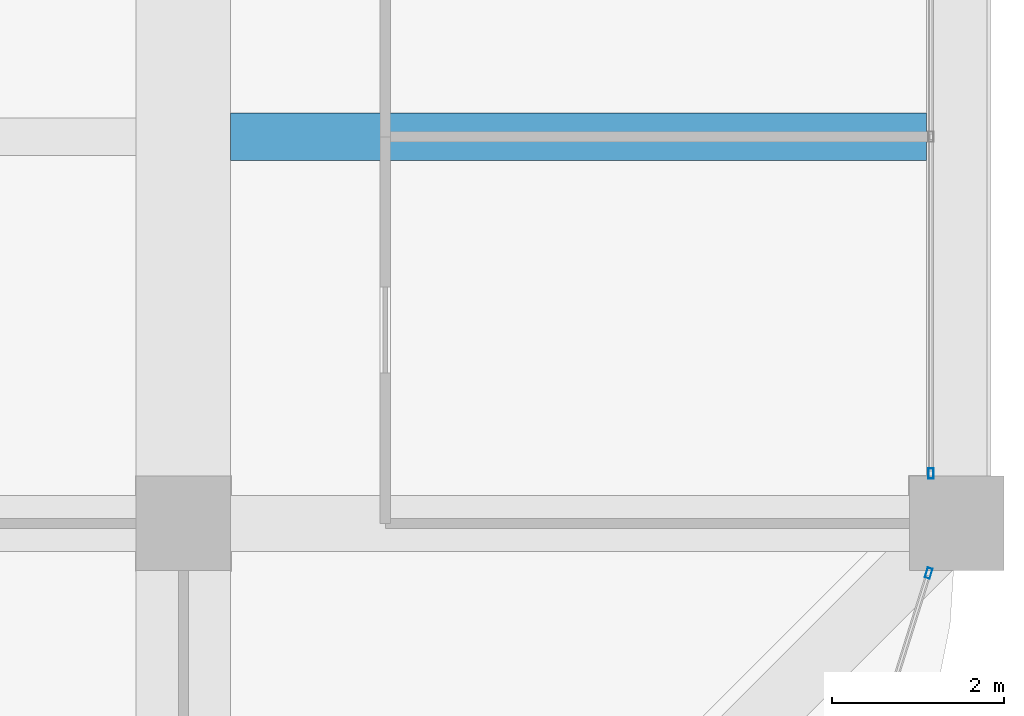
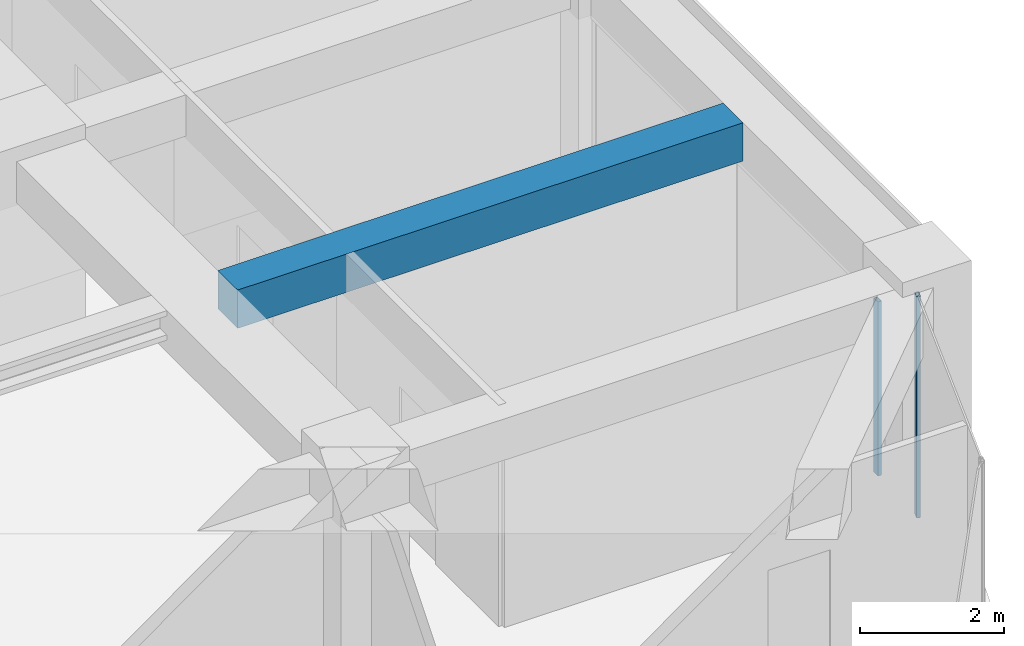
# One storey, part 22 of 45: 2 members, 1 beam, 2 elements without a shape of their own.
"""IFC4 building model written with IfcOpenShell, lengths in metres."""

from ifc_helpers import new_model, si_unit, direction, frame, origin, origin_2d, place, context, subcontext, project, spatial, rectangle, hollow_rectangle, extrude, material, material_profile, profile_set, type_object, element, aggregate, save


model = new_model("IFC4")

# Units and contexts
model_context = context("Model", 3, precision=1e-05, world=origin(), true_north=direction((0.0, 1.0)))
body_context = subcontext(model_context, "Body", "Model", "MODEL_VIEW")
ifc_project = project(units=[si_unit("LENGTHUNIT", "METRE"), si_unit("AREAUNIT", "SQUARE_METRE"), si_unit("VOLUMEUNIT", "CUBIC_METRE"), si_unit("PLANEANGLEUNIT", "RADIAN"), si_unit("MASSUNIT", "GRAM", prefix="KILO")], contexts=[model_context])

# Site, building, storey
site_placement = place(None, origin())
site = spatial("IfcSite", under=ifc_project, at=site_placement, CompositionType="ELEMENT")
building_placement = place(site_placement, origin())
building = spatial("IfcBuilding", under=site, at=building_placement, Name="Zorevar Civic Tower", CompositionType="ELEMENT")
storey_placement = place(building_placement, frame((0.0, 0.0, 291.39990234375)))
storey = spatial("IfcBuildingStorey", under=building, at=storey_placement, Name="L71", CompositionType="ELEMENT", Elevation=291.39990234375)

# Beam
ifc_material_1 = material(Name="Concrete C50/60", Category="concrete")
ifc_material_profile_1 = material_profile(ifc_material_1, rectangle(XDim=0.550048828125, YDim=0.64990234375, at=origin_2d()), Name="RC 550x650")
ifc_profile_set_1 = profile_set([ifc_material_profile_1], Name="Concrete C50/60")
beam_type = type_object("IfcBeamType", Name="Beam RC 550x650", PredefinedType="BEAM", material=ifc_profile_set_1)
beam_placement = place(storey_placement, frame((45.550048828125, 13.5, 3.425048828125), z_axis=(1.0, 0.0, 0.0), x_axis=(0.0, 1.0, 0.0)))
element("IfcBeam", 1, at=beam_placement, inside=storey, type_object=beam_type, Name="Secondary beam L72", PredefinedType="BEAM", context=body_context, shape_type="SweptSolid", body=[
    extrude(rectangle(XDim=0.550048828125, YDim=0.64990234375, at=origin_2d()), origin(), (0.0, 0.0, 1.0), 8.099853515625),
])

# Curtain wall, member
ifc_material_2 = material(Name="Dark grey solar-control glass in black aluminium frame", Category="aluminium")
curtain_wall_type = type_object("IfcCurtainWallType", Name="Curtain wall CW5 top zone", PredefinedType="NOTDEFINED", material=ifc_material_2)
curtain_wall_1_placement = place(storey_placement, origin())
curtain_wall_1 = element("IfcCurtainWall", 2, at=curtain_wall_1_placement, inside=storey, type_object=curtain_wall_type, Name="CW5 L71", PredefinedType="NOTDEFINED")
ifc_material_3 = material(Name="Aluminium, black anodised", Category="aluminium")
ifc_material_profile_2 = material_profile(ifc_material_3, hollow_rectangle(XDim=0.06005859375, YDim=0.1201171875, WallThickness=0.0029296875, at=origin_2d()), Name="AL 120x60x3")
ifc_profile_set_2 = profile_set([ifc_material_profile_2], Name="Aluminium, black anodised")
member_type = type_object("IfcMemberType", Name="CW5 mullion AL 120x60x3", PredefinedType="MULLION", material=ifc_profile_set_2)
member_1_placement = place(storey_placement, frame((53.699951171875, 9.580078125, 0.0), z_axis=(0.0, 0.0, 1.0), x_axis=(-1.0, 0.0, 0.0)))
member_1 = element("IfcMember", 3, at=member_1_placement, type_object=member_type, Name="CW5 mullion 1", PredefinedType="MULLION", context=body_context, shape_type="SweptSolid", body=[
    extrude(hollow_rectangle(XDim=0.06005859375, YDim=0.1201171875, WallThickness=0.0029296875, at=origin_2d()), origin(), (0.0, 0.0, 1.0), 2.9501953125),
])
aggregate(curtain_wall_1, [member_1])

curtain_wall_2_placement = place(storey_placement, origin())
curtain_wall_2 = element("IfcCurtainWall", 4, at=curtain_wall_2_placement, inside=storey, type_object=curtain_wall_type, Name="CW5 L71", PredefinedType="NOTDEFINED")
member_2_placement = place(storey_placement, frame((53.673583984375, 8.42138671875, 0.0), z_axis=(0.0, 0.0, 1.0), x_axis=(-0.954153437674, 0.299317920238, 0.0)))
member_2 = element("IfcMember", 5, at=member_2_placement, type_object=member_type, Name="CW5 mullion 2", PredefinedType="MULLION", context=body_context, shape_type="SweptSolid", body=[
    extrude(hollow_rectangle(XDim=0.06005859375, YDim=0.1201171875, WallThickness=0.0029296875, at=origin_2d()), origin(), (0.0, 0.0, 1.0), 3.75),
])
aggregate(curtain_wall_2, [member_2])

save(model, "model.ifc")
